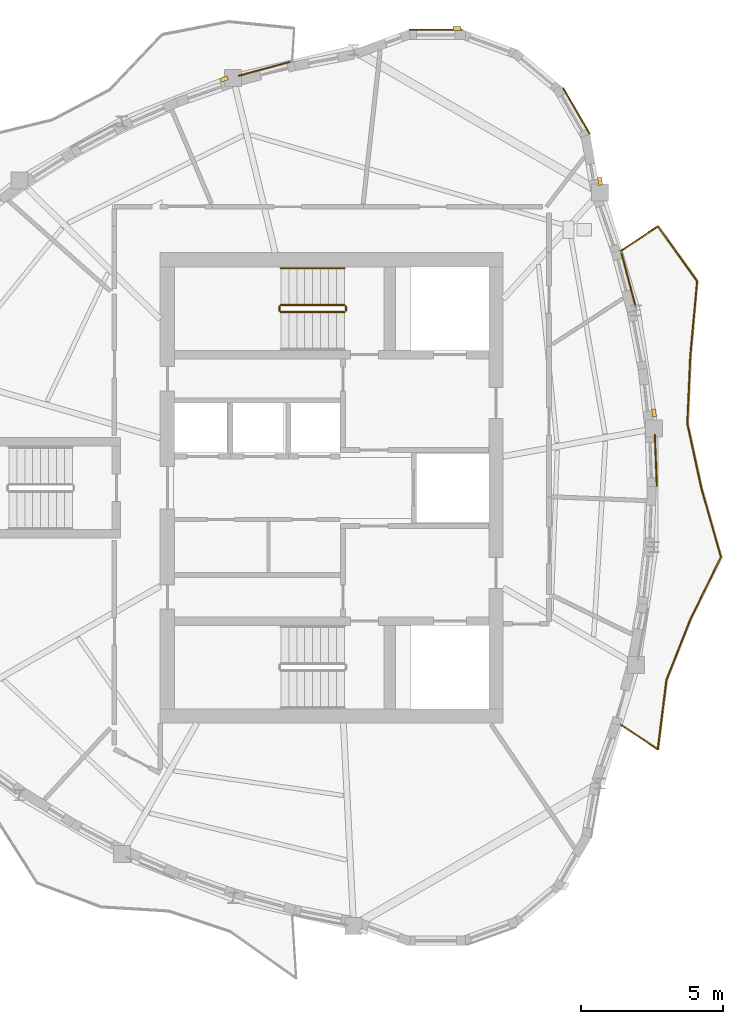
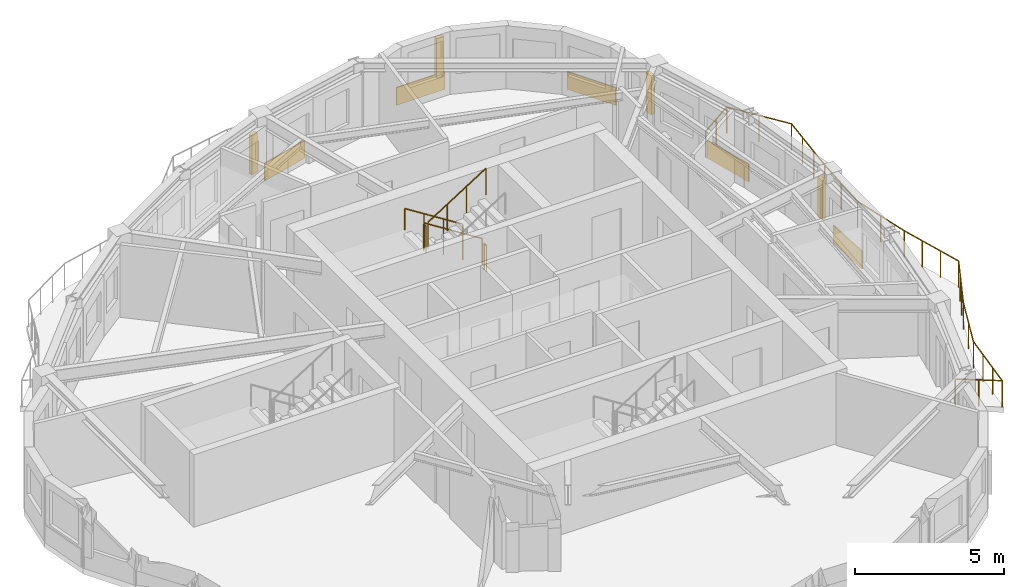
# One storey, part 10 of 11: 6 railings, 5 coverings, 4 shading devices.
"""IFC4 building model written with IfcOpenShell, lengths in metres."""

from ifc_helpers import new_model, si_unit, direction, frame, origin, origin_2d, place, context, subcontext, project, spatial, rectangle, circle, extrude, source, transform, mapped, material, layer, layer_set, type_object, element, save


model = new_model("IFC4")

# Units and contexts
model_context = context("Model", 3, precision=1e-05, world=origin(), true_north=direction((0.0, 1.0)))
body_context = subcontext(model_context, "Body", "Model", "MODEL_VIEW")
ifc_project = project(units=[si_unit("LENGTHUNIT", "METRE"), si_unit("AREAUNIT", "SQUARE_METRE"), si_unit("VOLUMEUNIT", "CUBIC_METRE"), si_unit("PLANEANGLEUNIT", "RADIAN"), si_unit("MASSUNIT", "GRAM", prefix="KILO")], contexts=[model_context])

# Site, building, storey
site_placement = place(None, origin())
site = spatial("IfcSite", under=ifc_project, at=site_placement, CompositionType="ELEMENT")
building_placement = place(site_placement, origin())
building = spatial("IfcBuilding", under=site, at=building_placement, Name="Qafzar Sky-Pleat Residences", CompositionType="ELEMENT")
storey_placement = place(building_placement, frame((0.0, 0.0, 230.800048828125)))
storey = spatial("IfcBuildingStorey", under=building, at=storey_placement, Name="L69", CompositionType="ELEMENT", Elevation=230.800048828125)

# Shading devices
ifc_material_1 = material(Name="Honed Riyadh limestone solar fin", Category="masonry")
ifc_layer_1 = layer(ifc_material_1, 0.139892578125)
ifc_layer_set_1 = layer_set([ifc_layer_1], Name="Honed Riyadh limestone solar fin")
shading_device_type = type_object("IfcShadingDeviceType", Name="SHD-FIN-STONE", PredefinedType="SHUTTER", material=ifc_layer_set_1)
shared_shape_1 = source(origin(), body_context, "Body", "SweptSolid", [
    extrude(rectangle(XDim=0.139892578125, YDim=0.280029296875, at=origin_2d()), origin(), (0.0, 0.0, 1.0), 1.60009765625),
])
for number, where, z_axis, x_axis, name in (
    (1, (41.72705078125, 28.64404296875, 0.599853515625), (0.0, 0.0, 1.0), (0.993560733934, 0.113300785454, 0.0), "L69 Limestone Solar Fin 29"),
    (2, (39.8203125, 36.8173828125, 0.599853515625), (0.0, 0.0, 1.0), (0.984806040716, 0.173657888303, 0.0), "L69 Limestone Solar Fin 33"),
    (3, (34.777587890625, 42.208251953125, 0.599853515625), (0.0, 0.0, 1.0), (0.0, 1.0, 0.0), "L69 Limestone Solar Fin 37"),
    (4, (26.555419921875, 40.423828125, 0.599853515625), (0.0, 0.0, 1.0), (-0.329574239936, 0.944129662902, 0.0), "L69 Limestone Solar Fin 41"),
):
    element("IfcShadingDevice", number, at=place(storey_placement, frame(where, z_axis=z_axis, x_axis=x_axis)), inside=storey, type_object=shading_device_type, Name=name, PredefinedType="SHUTTER", context=body_context, shape_type="MappedRepresentation", body=[
        mapped(shared_shape_1, transform((0.0, 0.0, 0.0), x_axis=(1.0, 0.0, 0.0), y_axis=(0.0, 1.0, 0.0), z_axis=(0.0, 0.0, 1.0), scale=1.0)),
    ])

# Coverings
ifc_material_2 = material(Name="Honed Riyadh Tuwaiq limestone cladding", Category="masonry")
ifc_layer_2 = layer(ifc_material_2, 0.044921875)
ifc_layer_set_2 = layer_set([ifc_layer_2], Name="Honed Riyadh Tuwaiq limestone cladding")
covering_type = type_object("IfcCoveringType", Name="COV-CLAD-STONE", PredefinedType="CLADDING", material=ifc_layer_set_2)
shared_shape_2 = source(origin(), body_context, "Body", "SweptSolid", [
    extrude(rectangle(XDim=1.88134765625, YDim=0.044921875, at=origin_2d()), origin(), (0.0, 0.0, 1.0), 0.719970703125),
])
covering_1_placement = place(storey_placement, frame((34.0224609375, 42.165283203125, 0.02001953125), z_axis=(0.0, 0.0, 1.0), x_axis=(-1.0, 0.0, 0.0)))
element("IfcCovering", 5, at=covering_1_placement, inside=storey, type_object=covering_type, Name="L69 Riyadh Limestone Spandrel Cladding 37", PredefinedType="CLADDING", context=body_context, shape_type="MappedRepresentation", body=[
    mapped(shared_shape_2, transform((0.0, 0.0, 0.0), x_axis=(1.0, 0.0, 0.0), y_axis=(0.0, 1.0, 0.0), z_axis=(0.0, 0.0, 1.0), scale=1.0)),
])
shared_shape_3 = source(origin(), body_context, "Body", "SweptSolid", [
    extrude(rectangle(XDim=1.881103515625, YDim=0.044921875, at=origin_2d()), origin(), (0.0, 0.0, 1.0), 0.719970703125),
])
covering_2_placement = place(storey_placement, frame((38.98828125, 39.298095703125, 0.02001953125), z_axis=(0.0, 0.0, 1.0), x_axis=(-0.499993018474, 0.866029434533, 0.0)))
element("IfcCovering", 6, at=covering_2_placement, inside=storey, type_object=covering_type, Name="L69 Riyadh Limestone Spandrel Cladding 34", PredefinedType="CLADDING", context=body_context, shape_type="MappedRepresentation", body=[
    mapped(shared_shape_3, transform((0.0, 0.0, 0.0), x_axis=(1.0, 0.0, 0.0), y_axis=(0.0, 1.0, 0.0), z_axis=(0.0, 0.0, 1.0), scale=1.0)),
])

# Railing
ifc_material_3 = material(Name="Laminated glass and bronze steel balustrade", Category="steel")
railing_type_1 = type_object("IfcRailingType", Name="RAIL-BAL-1100", PredefinedType="BALUSTRADE", material=ifc_material_3)
shared_shape_4 = source(origin(), body_context, "Body", "SweptSolid", [
    extrude(circle(Radius=0.02392578125, at=origin_2d()), frame((0.0, 0.0, 1.076171875), z_axis=(0.832430893793, -0.554128872248, 0.0), x_axis=(0.554128872248, 0.832430893793, 0.0)), (0.0, 0.0, 1.0), 1.578125),
    extrude(circle(Radius=0.02392578125, at=origin_2d()), frame((1.313720703125, -0.87451171875, 1.076171875), z_axis=(0.123317747396, 0.992367237053, 0.0), x_axis=(-0.992367237053, 0.123317747396, 0.0)), (0.0, 0.0, 1.0), 2.47265625),
    extrude(circle(Radius=0.02392578125, at=origin_2d()), frame((1.61865234375, 1.579345703125, 1.076171875), z_axis=(0.367564550972, 0.929998011218, 0.0), x_axis=(-0.929998011218, 0.367564550972, 0.0)), (0.0, 0.0, 1.0), 2.290283203125),
    extrude(circle(Radius=0.02392578125, at=origin_2d()), frame((2.46044921875, 3.709228515625, 1.076171875), z_axis=(0.441781559588, 0.897122652488, 0.0), x_axis=(-0.897122652488, 0.441781559588, 0.0)), (0.0, 0.0, 1.0), 2.44873046875),
    extrude(circle(Radius=0.02392578125, at=origin_2d()), frame((3.542236328125, 5.906005859375, 1.076171875), z_axis=(-0.272944830922, 0.962029687314, 0.0), x_axis=(-0.962029687314, -0.272944830922, 0.0)), (0.0, 0.0, 1.0), 2.5419921875),
    extrude(circle(Radius=0.02392578125, at=origin_2d()), frame((2.848388671875, 8.3515625, 1.076171875), z_axis=(-0.212534582308, 0.977153545418, 0.0), x_axis=(-0.977153545418, -0.212534582308, 0.0)), (0.0, 0.0, 1.0), 2.318115234375),
    extrude(circle(Radius=0.02392578125, at=origin_2d()), frame((2.355712890625, 10.61669921875, 1.076171875), z_axis=(0.044016044327, 0.99903082427, 0.0), x_axis=(-0.99903082427, 0.044016044327, 0.0)), (0.0, 0.0, 1.0), 2.37939453125),
    extrude(circle(Radius=0.02392578125, at=origin_2d()), frame((2.46044921875, 12.993896484375, 1.076171875), z_axis=(0.090643390845, 0.995883414711, 0.0), x_axis=(-0.995883414711, 0.090643390845, 0.0)), (0.0, 0.0, 1.0), 2.658447265625),
    extrude(circle(Radius=0.02392578125, at=origin_2d()), frame((2.701416015625, 15.641357421875, 1.076171875), z_axis=(-0.582526840805, 0.812811466296, 0.0), x_axis=(-0.812811466296, -0.582526840805, 0.0)), (0.0, 0.0, 1.0), 2.382080078125),
    extrude(circle(Radius=0.02392578125, at=origin_2d()), frame((1.313720703125, 17.57763671875, 1.076171875), z_axis=(-0.832430893793, -0.554128872248, 0.0), x_axis=(0.554128872248, -0.832430893793, 0.0)), (0.0, 0.0, 1.0), 1.578125),
    extrude(circle(Radius=0.02099609375, at=origin_2d()), origin(), (0.0, 0.0, 1.0), 1.052001953125),
    extrude(circle(Radius=0.02099609375, at=origin_2d()), frame((0.65673828125, -0.437255859375, 0.0)), (0.0, 0.0, 1.0), 1.052001953125),
    extrude(circle(Radius=0.02099609375, at=origin_2d()), frame((1.313720703125, -0.87451171875, 0.0)), (0.0, 0.0, 1.0), 1.052001953125),
    extrude(circle(Radius=0.02099609375, at=origin_2d()), frame((1.415283203125, -0.056640625, 0.0)), (0.0, 0.0, 1.0), 1.052001953125),
    extrude(circle(Radius=0.02099609375, at=origin_2d()), frame((1.51708984375, 0.761474609375, 0.0)), (0.0, 0.0, 1.0), 1.052001953125),
    extrude(circle(Radius=0.02099609375, at=origin_2d()), frame((1.61865234375, 1.579345703125, 0.0)), (0.0, 0.0, 1.0), 1.052001953125),
    extrude(circle(Radius=0.02099609375, at=origin_2d()), frame((2.03955078125, 2.644287109375, 0.0)), (0.0, 0.0, 1.0), 1.052001953125),
    extrude(circle(Radius=0.02099609375, at=origin_2d()), frame((2.46044921875, 3.709228515625, 0.0)), (0.0, 0.0, 1.0), 1.052001953125),
    extrude(circle(Radius=0.02099609375, at=origin_2d()), frame((2.821044921875, 4.44140625, 0.0)), (0.0, 0.0, 1.0), 1.052001953125),
    extrude(circle(Radius=0.02099609375, at=origin_2d()), frame((3.181640625, 5.173828125, 0.0)), (0.0, 0.0, 1.0), 1.052001953125),
    extrude(circle(Radius=0.02099609375, at=origin_2d()), frame((3.542236328125, 5.906005859375, 0.0)), (0.0, 0.0, 1.0), 1.052001953125),
    extrude(circle(Radius=0.02099609375, at=origin_2d()), frame((3.31103515625, 6.72119140625, 0.0)), (0.0, 0.0, 1.0), 1.052001953125),
    extrude(circle(Radius=0.02099609375, at=origin_2d()), frame((3.07958984375, 7.536376953125, 0.0)), (0.0, 0.0, 1.0), 1.052001953125),
    extrude(circle(Radius=0.02099609375, at=origin_2d()), frame((2.848388671875, 8.3515625, 0.0)), (0.0, 0.0, 1.0), 1.052001953125),
    extrude(circle(Radius=0.02099609375, at=origin_2d()), frame((2.60205078125, 9.484130859375, 0.0)), (0.0, 0.0, 1.0), 1.052001953125),
    extrude(circle(Radius=0.02099609375, at=origin_2d()), frame((2.355712890625, 10.61669921875, 0.0)), (0.0, 0.0, 1.0), 1.052001953125),
    extrude(circle(Radius=0.02099609375, at=origin_2d()), frame((2.408203125, 11.80517578125, 0.0)), (0.0, 0.0, 1.0), 1.052001953125),
    extrude(circle(Radius=0.02099609375, at=origin_2d()), frame((2.46044921875, 12.993896484375, 0.0)), (0.0, 0.0, 1.0), 1.052001953125),
    extrude(circle(Radius=0.02099609375, at=origin_2d()), frame((2.540771484375, 13.87646484375, 0.0)), (0.0, 0.0, 1.0), 1.052001953125),
    extrude(circle(Radius=0.02099609375, at=origin_2d()), frame((2.62109375, 14.7587890625, 0.0)), (0.0, 0.0, 1.0), 1.052001953125),
    extrude(circle(Radius=0.02099609375, at=origin_2d()), frame((2.701416015625, 15.641357421875, 0.0)), (0.0, 0.0, 1.0), 1.052001953125),
    extrude(circle(Radius=0.02099609375, at=origin_2d()), frame((2.007568359375, 16.609375, 0.0)), (0.0, 0.0, 1.0), 1.052001953125),
    extrude(circle(Radius=0.02099609375, at=origin_2d()), frame((1.313720703125, 17.57763671875, 0.0)), (0.0, 0.0, 1.0), 1.052001953125),
    extrude(circle(Radius=0.02099609375, at=origin_2d()), frame((0.65673828125, 17.140380859375, 0.0)), (0.0, 0.0, 1.0), 1.052001953125),
    extrude(circle(Radius=0.02099609375, at=origin_2d()), frame((0.0, 16.703125, 0.0)), (0.0, 0.0, 1.0), 1.052001953125),
])
railing_1_placement = place(storey_placement, frame((40.5458984375, 17.6484375, 0.0)))
element("IfcRailing", 7, at=railing_1_placement, inside=storey, type_object=railing_type_1, Name="L69 Pleated Balcony 1 Balustrade", PredefinedType="BALUSTRADE", context=body_context, shape_type="MappedRepresentation", body=[
    mapped(shared_shape_4, transform((0.0, 0.0, 0.0), x_axis=(1.0, 0.0, 0.0), y_axis=(0.0, 1.0, 0.0), z_axis=(0.0, 0.0, 1.0), scale=1.0)),
])

# Coverings
shared_shape_5 = source(origin(), body_context, "Body", "SweptSolid", [
    extrude(rectangle(XDim=1.832275390625, YDim=0.044921875, at=origin_2d()), origin(), (0.0, 0.0, 1.0), 0.719970703125),
])
covering_3_placement = place(storey_placement, frame((41.789306640625, 26.97998046875, 0.02001953125), z_axis=(0.0, 0.0, 1.0), x_axis=(-0.037970925953, 0.999278844358, 0.0)))
element("IfcCovering", 8, at=covering_3_placement, inside=storey, type_object=covering_type, Name="L69 Riyadh Limestone Spandrel Cladding 28", PredefinedType="CLADDING", context=body_context, shape_type="MappedRepresentation", body=[
    mapped(shared_shape_5, transform((0.0, 0.0, 0.0), x_axis=(1.0, 0.0, 0.0), y_axis=(0.0, 1.0, 0.0), z_axis=(0.0, 0.0, 1.0), scale=1.0)),
])
shared_shape_6 = source(origin(), body_context, "Body", "SweptSolid", [
    extrude(rectangle(XDim=1.958984375, YDim=0.044921875, at=origin_2d()), origin(), (0.0, 0.0, 1.0), 0.719970703125),
])
covering_4_placement = place(storey_placement, frame((40.8271484375, 33.335693359375, 0.02001953125), z_axis=(0.0, 0.0, 1.0), x_axis=(-0.257036396739, 0.966401723276, 0.0)))
element("IfcCovering", 9, at=covering_4_placement, inside=storey, type_object=covering_type, Name="L69 Riyadh Limestone Spandrel Cladding 31", PredefinedType="CLADDING", context=body_context, shape_type="MappedRepresentation", body=[
    mapped(shared_shape_6, transform((0.0, 0.0, 0.0), x_axis=(1.0, 0.0, 0.0), y_axis=(0.0, 1.0, 0.0), z_axis=(0.0, 0.0, 1.0), scale=1.0)),
])
shared_shape_7 = source(origin(), body_context, "Body", "SweptSolid", [
    extrude(rectangle(XDim=1.89599609375, YDim=0.044921875, at=origin_2d()), origin(), (0.0, 0.0, 1.0), 0.719970703125),
])
covering_5_placement = place(storey_placement, frame((27.972900390625, 40.78564453125, 0.02001953125), z_axis=(0.0, 0.0, 1.0), x_axis=(-0.965462520828, -0.260541975268, 0.0)))
element("IfcCovering", 10, at=covering_5_placement, inside=storey, type_object=covering_type, Name="L69 Riyadh Limestone Spandrel Cladding 40", PredefinedType="CLADDING", context=body_context, shape_type="MappedRepresentation", body=[
    mapped(shared_shape_7, transform((0.0, 0.0, 0.0), x_axis=(1.0, 0.0, 0.0), y_axis=(0.0, 1.0, 0.0), z_axis=(0.0, 0.0, 1.0), scale=1.0)),
])

# Railings
ifc_material_4 = material(Name="Painted Steel S355 stair guardrail", Category="steel")
railing_type_2 = type_object("IfcRailingType", Name="RAIL-STAIR-GUARD", PredefinedType="GUARDRAIL", material=ifc_material_4)
shared_shape_8 = source(origin(), body_context, "Body", "SweptSolid", [
    extrude(circle(Radius=0.02392578125, at=origin_2d()), frame((0.0, 0.0, 1.076171875), z_axis=(0.0, -1.0, 0.0), x_axis=(1.0, 0.0, 0.0)), (0.0, 0.0, 1.0), 0.14990234375),
    extrude(circle(Radius=0.02099609375, at=origin_2d()), origin(), (0.0, 0.0, 1.0), 1.052001953125),
    extrude(circle(Radius=0.02099609375, at=origin_2d()), frame((0.0, -0.14990234375, 0.0)), (0.0, 0.0, 1.0), 1.052001953125),
])
for number, where, name in (
    (11, (28.510009765625, 32.39990234375, 1.599853515625), "L69 ST2 stair guard 2"),
    (12, (30.85009765625, 32.39990234375, 0.0), "L69 ST2 stair guard 4"),
):
    element("IfcRailing", number, at=place(storey_placement, frame(where)), inside=storey, type_object=railing_type_2, Name=name, PredefinedType="GUARDRAIL", context=body_context, shape_type="MappedRepresentation", body=[
        mapped(shared_shape_8, transform((0.0, 0.0, 0.0), x_axis=(1.0, 0.0, 0.0), y_axis=(0.0, 1.0, 0.0), z_axis=(0.0, 0.0, 1.0), scale=1.0)),
    ])
shared_shape_9 = source(origin(), body_context, "Body", "SweptSolid", [
    extrude(circle(Radius=0.02392578125, at=origin_2d()), frame((0.0, 0.0, 1.076171875), z_axis=(-0.8442293374, 0.0, 0.53598211339), x_axis=(0.0, -1.0, 0.0)), (0.0, 0.0, 1.0), 2.6533203125),
    extrude(circle(Radius=0.02099609375, at=origin_2d()), origin(), (0.0, 0.0, 1.0), 1.052001953125),
    extrude(circle(Radius=0.02099609375, at=origin_2d()), frame((-0.74658203125, 0.0, 0.47412109375)), (0.0, 0.0, 1.0), 1.052001953125),
    extrude(circle(Radius=0.02099609375, at=origin_2d()), frame((-1.493408203125, 0.0, 0.947998046875)), (0.0, 0.0, 1.0), 1.052001953125),
    extrude(circle(Radius=0.02099609375, at=origin_2d()), frame((-2.239990234375, 0.0, 1.422119140625)), (0.0, 0.0, 1.0), 1.052001953125),
])
railing_2_placement = place(storey_placement, frame((30.800048828125, 32.449951171875, 0.177734375)))
element("IfcRailing", 13, at=railing_2_placement, inside=storey, type_object=railing_type_2, Name="L69 ST2 stair guard 1", PredefinedType="GUARDRAIL", context=body_context, shape_type="MappedRepresentation", body=[
    mapped(shared_shape_9, transform((0.0, 0.0, 0.0), x_axis=(1.0, 0.0, 0.0), y_axis=(0.0, 1.0, 0.0), z_axis=(0.0, 0.0, 1.0), scale=1.0)),
])
shared_shape_10 = source(origin(), body_context, "Body", "SweptSolid", [
    extrude(circle(Radius=0.02392578125, at=origin_2d()), frame((0.0, 0.0, 1.076171875), z_axis=(0.8442293374, 0.0, 0.53598211339), x_axis=(0.0, 1.0, 0.0)), (0.0, 0.0, 1.0), 2.6533203125),
    extrude(circle(Radius=0.02099609375, at=origin_2d()), origin(), (0.0, 0.0, 1.0), 1.052001953125),
    extrude(circle(Radius=0.02099609375, at=origin_2d()), frame((0.74658203125, 0.0, 0.47412109375)), (0.0, 0.0, 1.0), 1.052001953125),
    extrude(circle(Radius=0.02099609375, at=origin_2d()), frame((1.493408203125, 0.0, 0.947998046875)), (0.0, 0.0, 1.0), 1.052001953125),
    extrude(circle(Radius=0.02099609375, at=origin_2d()), frame((2.239990234375, 0.0, 1.422119140625)), (0.0, 0.0, 1.0), 1.052001953125),
])
railing_3_placement = place(storey_placement, frame((28.56005859375, 32.199951171875, 1.77783203125)))
element("IfcRailing", 14, at=railing_3_placement, inside=storey, type_object=railing_type_2, Name="L69 ST2 stair guard 3", PredefinedType="GUARDRAIL", context=body_context, shape_type="MappedRepresentation", body=[
    mapped(shared_shape_10, transform((0.0, 0.0, 0.0), x_axis=(1.0, 0.0, 0.0), y_axis=(0.0, 1.0, 0.0), z_axis=(0.0, 0.0, 1.0), scale=1.0)),
])
ifc_material_5 = material(Name="Brushed stainless steel handrail", Category="steel")
railing_type_3 = type_object("IfcRailingType", Name="RAIL-STAIR-HAND", PredefinedType="HANDRAIL", material=ifc_material_5)
shared_shape_11 = source(origin(), body_context, "Body", "SweptSolid", [
    extrude(circle(Radius=0.02392578125, at=origin_2d()), frame((0.0, 0.0, 0.8759765625), z_axis=(-0.8442293374, 0.0, 0.53598211339), x_axis=(0.0, -1.0, 0.0)), (0.0, 0.0, 1.0), 2.6533203125),
    extrude(circle(Radius=0.02099609375, at=origin_2d()), origin(), (0.0, 0.0, 1.0), 0.851806640625),
    extrude(circle(Radius=0.02099609375, at=origin_2d()), frame((-0.74658203125, 0.0, 0.47412109375)), (0.0, 0.0, 1.0), 0.851806640625),
    extrude(circle(Radius=0.02099609375, at=origin_2d()), frame((-1.493408203125, 0.0, 0.947998046875)), (0.0, 0.0, 1.0), 0.851806640625),
    extrude(circle(Radius=0.02099609375, at=origin_2d()), frame((-2.239990234375, 0.0, 1.422119140625)), (0.0, 0.0, 1.0), 0.851806640625),
])
railing_4_placement = place(storey_placement, frame((30.800048828125, 33.75, 0.177734375)))
element("IfcRailing", 15, at=railing_4_placement, inside=storey, type_object=railing_type_3, Name="L69 ST2 stair handrail 1", PredefinedType="HANDRAIL", context=body_context, shape_type="MappedRepresentation", body=[
    mapped(shared_shape_11, transform((0.0, 0.0, 0.0), x_axis=(1.0, 0.0, 0.0), y_axis=(0.0, 1.0, 0.0), z_axis=(0.0, 0.0, 1.0), scale=1.0)),
])

save(model, "model.ifc")
